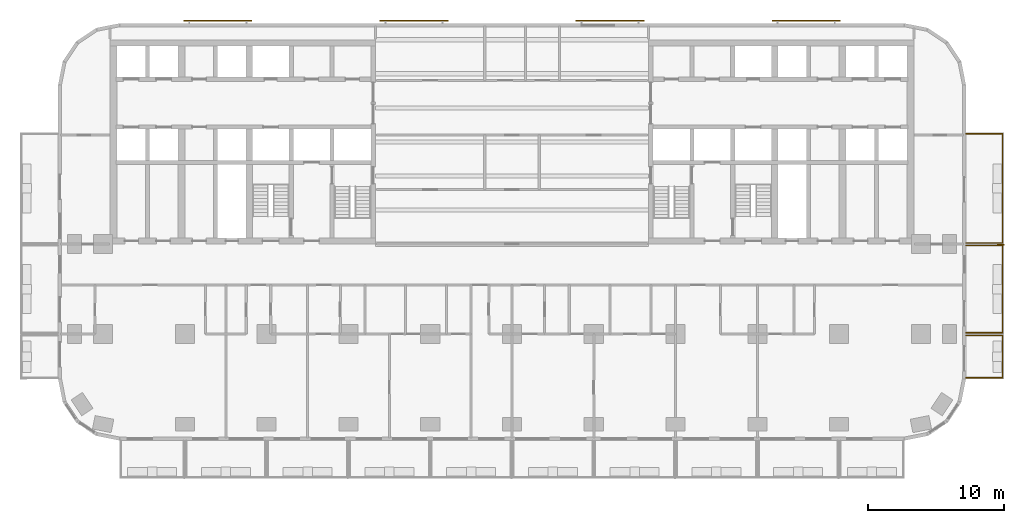
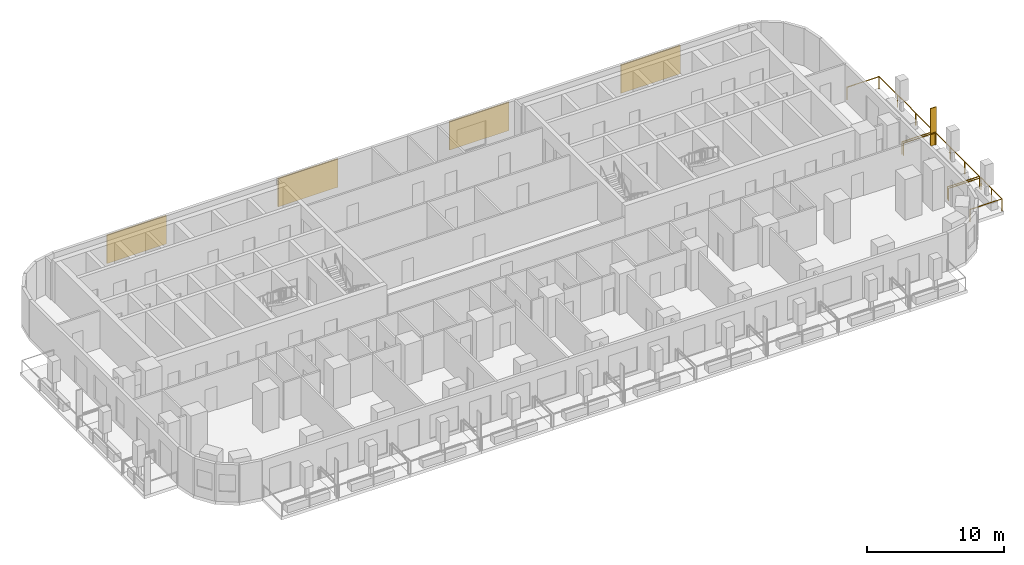
# One storey, part 13 of 14: 5 shading devices, 3 railings.
"""IFC4 building model written with IfcOpenShell, lengths in metres."""

from ifc_helpers import new_model, si_unit, direction, frame, origin, origin_2d, place, context, subcontext, project, spatial, rectangle, circle, extrude, material, layer, layer_set, type_object, element, save


model = new_model("IFC4")

# Units and contexts
model_context = context("Model", 3, precision=1e-05, world=origin(), true_north=direction((0.0, 1.0)))
body_context = subcontext(model_context, "Body", "Model", "MODEL_VIEW")
ifc_project = project(units=[si_unit("LENGTHUNIT", "METRE"), si_unit("AREAUNIT", "SQUARE_METRE"), si_unit("VOLUMEUNIT", "CUBIC_METRE"), si_unit("PLANEANGLEUNIT", "RADIAN"), si_unit("MASSUNIT", "GRAM", prefix="KILO")], contexts=[model_context])

# Site, building, storey
site_placement = place(None, origin())
site = spatial("IfcSite", under=ifc_project, at=site_placement, CompositionType="ELEMENT")
building_placement = place(site_placement, origin())
building = spatial("IfcBuilding", under=site, at=building_placement, Name="Torana Hotel and Residences", CompositionType="ELEMENT")
storey_placement = place(building_placement, frame((0.0, 0.0, 99.60009765625)))
storey = spatial("IfcBuildingStorey", under=building, at=storey_placement, Name="L25", CompositionType="ELEMENT", Elevation=99.60009765625)

# Shading device
ifc_material_1 = material(Name="Black powder coated aluminium", Category="aluminium")
ifc_layer_1 = layer(ifc_material_1, 0.080078125)
ifc_layer_set_1 = layer_set([ifc_layer_1], Name="FN1 VERTICAL FIN 500x80")
shading_device_type_1 = type_object("IfcShadingDeviceType", Name="FN1 VERTICAL FIN 500x80", PredefinedType="USERDEFINED", material=ifc_layer_set_1)
shading_device_placement = place(storey_placement, frame((35.85009765625, -15.0400390625, 0.0), z_axis=(0.0, 0.0, 1.0), x_axis=(0.0, -1.0, 0.0)))
element("IfcShadingDevice", 1, at=shading_device_placement, inside=storey, type_object=shading_device_type_1, Name="Fin 15", ObjectType="FIN", PredefinedType="USERDEFINED", context=body_context, shape_type="SweptSolid", body=[
    extrude(rectangle(XDim=0.080078125, YDim=0.5, at=origin_2d()), origin(), (0.0, 0.0, 1.0), 3.320068359375),
])

# Railings
ifc_material_2 = material(Name="Laminated glass balustrade with black handrail", Category="glass")
railing_type = type_object("IfcRailingType", Name="GR1 BALCONY GUARD 1100 GLASS", PredefinedType="GUARDRAIL", material=ifc_material_2)
railing_1_placement = place(storey_placement, frame((33.300048828125, -21.699951171875, 0.0)))
element("IfcRailing", 2, at=railing_1_placement, inside=storey, type_object=railing_type, Name="Balcony guard 14", PredefinedType="GUARDRAIL", context=body_context, shape_type="SweptSolid", body=[
    extrude(circle(Radius=0.02392578125, at=origin_2d()), frame((0.0, 0.0, 1.076171875), z_axis=(1.0, 0.0, 0.0), x_axis=(0.0, 1.0, 0.0)), (0.0, 0.0, 1.0), 2.699951171875),
    extrude(circle(Radius=0.02392578125, at=origin_2d()), frame((2.699951171875, 0.0, 1.076171875), z_axis=(0.0, -1.0, 0.0), x_axis=(1.0, 0.0, 0.0)), (0.0, 0.0, 1.0), 3.10009765625),
    extrude(circle(Radius=0.02392578125, at=origin_2d()), frame((2.699951171875, -3.10009765625, 1.076171875), z_axis=(-1.0, 0.0, 0.0), x_axis=(0.0, -1.0, 0.0)), (0.0, 0.0, 1.0), 2.699951171875),
    extrude(circle(Radius=0.02099609375, at=origin_2d()), origin(), (0.0, 0.0, 1.0), 1.052001953125),
    extrude(circle(Radius=0.02099609375, at=origin_2d()), frame((2.699951171875, 0.0, 0.0)), (0.0, 0.0, 1.0), 1.052001953125),
    extrude(circle(Radius=0.02099609375, at=origin_2d()), frame((2.699951171875, -1.550048828125, 0.0)), (0.0, 0.0, 1.0), 1.052001953125),
    extrude(circle(Radius=0.02099609375, at=origin_2d()), frame((2.699951171875, -3.10009765625, 0.0)), (0.0, 0.0, 1.0), 1.052001953125),
    extrude(circle(Radius=0.02099609375, at=origin_2d()), frame((0.0, -3.10009765625, 0.0)), (0.0, 0.0, 1.0), 1.052001953125),
])
railing_2_placement = place(storey_placement, frame((33.300048828125, -15.10009765625, 0.0)))
element("IfcRailing", 3, at=railing_2_placement, inside=storey, type_object=railing_type, Name="Balcony guard 15", PredefinedType="GUARDRAIL", context=body_context, shape_type="SweptSolid", body=[
    extrude(circle(Radius=0.02392578125, at=origin_2d()), frame((0.0, 0.0, 1.076171875), z_axis=(1.0, 0.0, 0.0), x_axis=(0.0, 1.0, 0.0)), (0.0, 0.0, 1.0), 2.699951171875),
    extrude(circle(Radius=0.02392578125, at=origin_2d()), frame((2.699951171875, 0.0, 1.076171875), z_axis=(0.0, -1.0, 0.0), x_axis=(1.0, 0.0, 0.0)), (0.0, 0.0, 1.0), 6.39990234375),
    extrude(circle(Radius=0.02392578125, at=origin_2d()), frame((2.699951171875, -6.39990234375, 1.076171875), z_axis=(-1.0, 0.0, 0.0), x_axis=(0.0, -1.0, 0.0)), (0.0, 0.0, 1.0), 2.699951171875),
    extrude(circle(Radius=0.02099609375, at=origin_2d()), origin(), (0.0, 0.0, 1.0), 1.052001953125),
    extrude(circle(Radius=0.02099609375, at=origin_2d()), frame((2.699951171875, 0.0, 0.0)), (0.0, 0.0, 1.0), 1.052001953125),
    extrude(circle(Radius=0.02099609375, at=origin_2d()), frame((2.699951171875, -2.13330078125, 0.0)), (0.0, 0.0, 1.0), 1.052001953125),
    extrude(circle(Radius=0.02099609375, at=origin_2d()), frame((2.699951171875, -4.2666015625, 0.0)), (0.0, 0.0, 1.0), 1.052001953125),
    extrude(circle(Radius=0.02099609375, at=origin_2d()), frame((2.699951171875, -6.39990234375, 0.0)), (0.0, 0.0, 1.0), 1.052001953125),
    extrude(circle(Radius=0.02099609375, at=origin_2d()), frame((0.0, -6.39990234375, 0.0)), (0.0, 0.0, 1.0), 1.052001953125),
])
railing_3_placement = place(storey_placement, frame((33.300048828125, -6.89990234375, 0.0)))
element("IfcRailing", 4, at=railing_3_placement, inside=storey, type_object=railing_type, Name="Balcony guard 16", PredefinedType="GUARDRAIL", context=body_context, shape_type="SweptSolid", body=[
    extrude(circle(Radius=0.02392578125, at=origin_2d()), frame((0.0, 0.0, 1.076171875), z_axis=(1.0, 0.0, 0.0), x_axis=(0.0, 1.0, 0.0)), (0.0, 0.0, 1.0), 2.699951171875),
    extrude(circle(Radius=0.02392578125, at=origin_2d()), frame((2.699951171875, 0.0, 1.076171875), z_axis=(0.0, -1.0, 0.0), x_axis=(1.0, 0.0, 0.0)), (0.0, 0.0, 1.0), 8.0),
    extrude(circle(Radius=0.02392578125, at=origin_2d()), frame((2.699951171875, -8.0, 1.076171875), z_axis=(-1.0, 0.0, 0.0), x_axis=(0.0, -1.0, 0.0)), (0.0, 0.0, 1.0), 2.699951171875),
    extrude(circle(Radius=0.02099609375, at=origin_2d()), origin(), (0.0, 0.0, 1.0), 1.052001953125),
    extrude(circle(Radius=0.02099609375, at=origin_2d()), frame((2.699951171875, 0.0, 0.0)), (0.0, 0.0, 1.0), 1.052001953125),
    extrude(circle(Radius=0.02099609375, at=origin_2d()), frame((2.699951171875, -2.666748046875, 0.0)), (0.0, 0.0, 1.0), 1.052001953125),
    extrude(circle(Radius=0.02099609375, at=origin_2d()), frame((2.699951171875, -5.333251953125, 0.0)), (0.0, 0.0, 1.0), 1.052001953125),
    extrude(circle(Radius=0.02099609375, at=origin_2d()), frame((2.699951171875, -8.0, 0.0)), (0.0, 0.0, 1.0), 1.052001953125),
    extrude(circle(Radius=0.02099609375, at=origin_2d()), frame((0.0, -8.0, 0.0)), (0.0, 0.0, 1.0), 1.052001953125),
])

# Shading devices
ifc_material_3 = material(Name="Concrete C40/50 precast", Category="concrete")
ifc_layer_2 = layer(ifc_material_3, 0.10009765625)
ifc_layer_set_2 = layer_set([ifc_layer_2], Name="SC1 PERFORATED BLOCK SCREEN PANEL 100")
shading_device_type_2 = type_object("IfcShadingDeviceType", Name="SC1 PERFORATED BLOCK SCREEN PANEL 100", PredefinedType="USERDEFINED", material=ifc_layer_set_2)
for number, where, z_axis, x_axis, name in (
    (5, (21.58154296875, 1.39990234375, 0.5), (0.0, 0.0, 1.0), (-1.0, 0.0, 0.0), "Perforated block screen L25"),
    (6, (7.19384765625, 1.39990234375, 0.5), (0.0, 0.0, 1.0), (-1.0, 0.0, 0.0), "Perforated block screen L25"),
    (7, (-7.19384765625, 1.39990234375, 0.5), (0.0, 0.0, 1.0), (-1.0, 0.0, 0.0), "Perforated block screen L25"),
    (8, (-21.58154296875, 1.39990234375, 0.5), (0.0, 0.0, 1.0), (-1.0, 0.0, 0.0), "Perforated block screen L25"),
):
    element("IfcShadingDevice", number, at=place(storey_placement, frame(where, z_axis=z_axis, x_axis=x_axis)), inside=storey, type_object=shading_device_type_2, Name=name, ObjectType="SCREEN", PredefinedType="USERDEFINED", context=body_context, shape_type="SweptSolid", body=[
        extrude(rectangle(XDim=5.0, YDim=0.10009765625, at=origin_2d()), origin(), (0.0, 0.0, 1.0), 2.52001953125),
    ])

save(model, "model.ifc")
